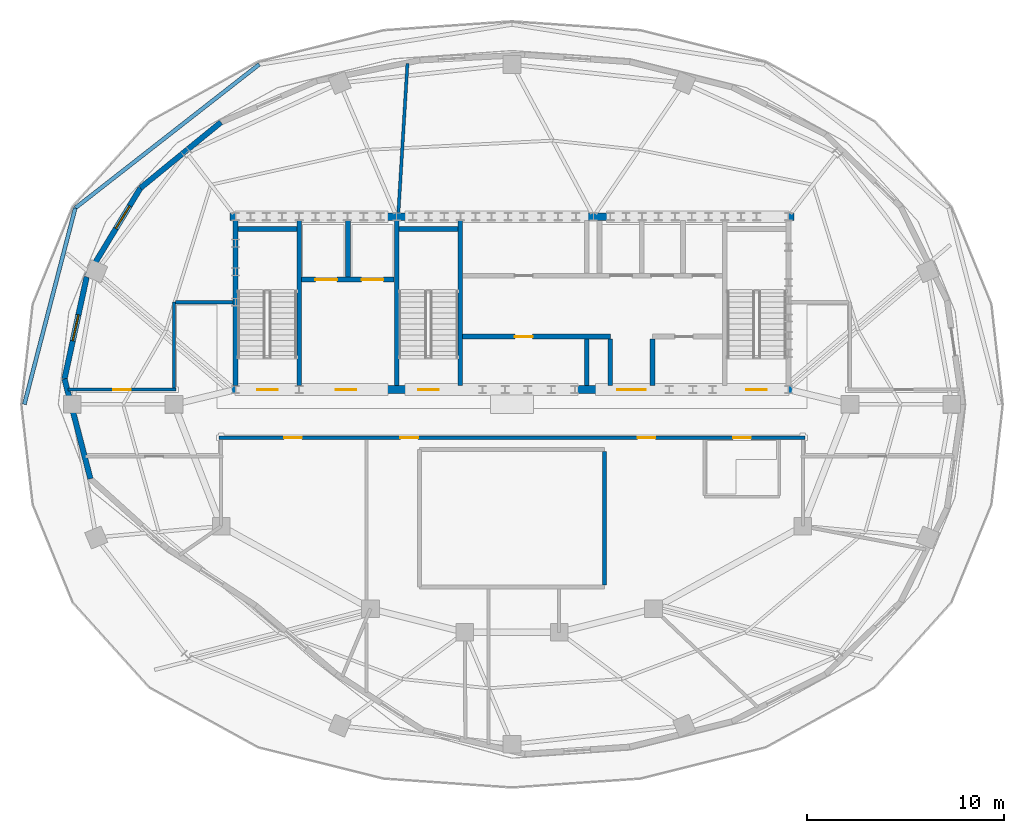
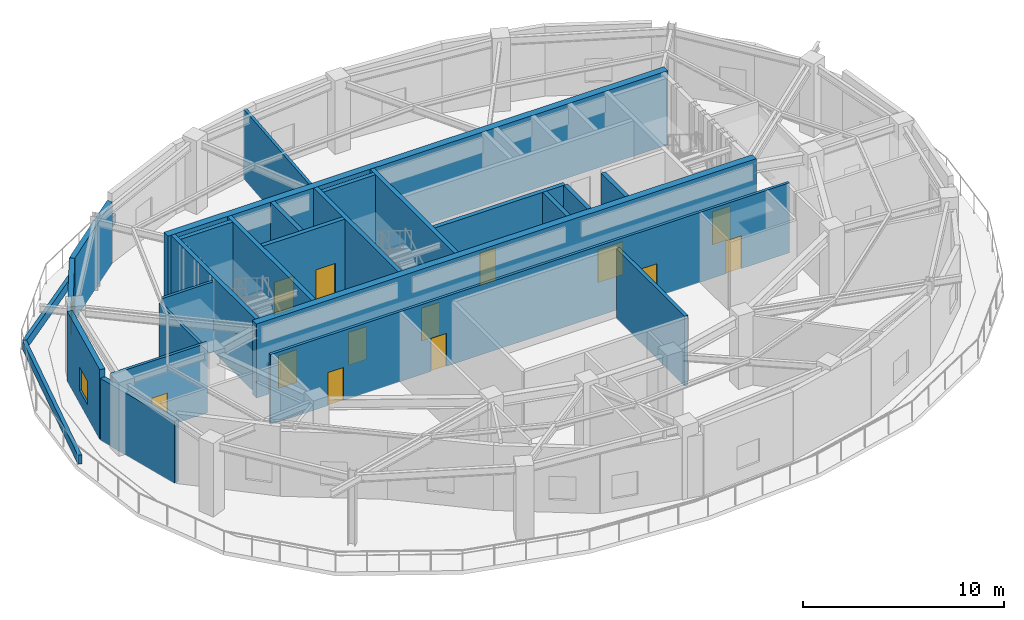
# One storey, part 4 of 10: 26 walls, 13 doors, 2 windows, 15 openings.
"""IFC4 building model written with IfcOpenShell, lengths in metres."""

import ifcopenshell
import ifcopenshell.guid

model = None  # the IFC model being written
_history = None  # IfcOwnerHistory: only IFC2X3 demands one
_inside = {}  # id of a spatial element -> (the spatial element, [elements in it])
_under = {}  # id of a project, library or spatial element -> (it, [spatial elements below it])
_declared = {}  # id of a project -> (the project, [libraries it declares])
_typed = {}  # id of a type object -> (the type object, [elements of that type])
_made_of = {}  # id of a material, layer set ... -> (it, [elements and type objects made of it])


def new_model(schema):
    """Start an empty IFC model of exactly this schema.

    Asked for "IFC4X3", IfcOpenShell would pick the latest addendum, in which some entities
    have other attributes; the version numbers below select the first issue.
    IFC2X3 requires an IfcOwnerHistory on every rooted entity: one is made here for all.
    """
    global model, _history
    if schema == "IFC4X3":
        model = ifcopenshell.file(schema_version=(4, 3, 0, 0))
    else:
        model = ifcopenshell.file(schema=schema)
    _inside.clear()
    _under.clear()
    _declared.clear()
    _typed.clear()
    _made_of.clear()
    _history = None
    if model.schema == "IFC2X3":
        org = make("IfcOrganization", Name="unknown")
        user = make(
            "IfcPersonAndOrganization",
            ThePerson=make("IfcPerson", FamilyName="unknown"),
            TheOrganization=org,
        )
        app = make(
            "IfcApplication",
            ApplicationDeveloper=org,
            Version="unknown",
            ApplicationFullName="unknown",
            ApplicationIdentifier="unknown",
        )
        _history = make(
            "IfcOwnerHistory",
            OwningUser=user,
            OwningApplication=app,
            ChangeAction="ADDED",
            CreationDate=0,
        )
    return model


def make(cls, **values):
    """One entity of the class cls with the attributes given. An attribute that is None is left unset."""
    return model.create_entity(
        cls, **{name: value for name, value in values.items() if value is not None}
    )


def rooted(cls, **values):
    """An entity with a GlobalId (a new one), such as an element, a storey or a relation."""
    return make(cls, GlobalId=ifcopenshell.guid.new(), OwnerHistory=_history, **values)


def si_unit(unit_type, name, prefix=None):
    """IfcSIUnit, for example si_unit("LENGTHUNIT", "METRE", prefix="MILLI")."""
    return make("IfcSIUnit", UnitType=unit_type, Prefix=prefix, Name=name)


def assignment(units):
    """IfcUnitAssignment: the units of a project."""
    return None if units is None else make("IfcUnitAssignment", Units=units)


def point(xyz):
    """IfcCartesianPoint."""
    return None if xyz is None else make("IfcCartesianPoint", Coordinates=xyz)


def direction(xyz):
    """IfcDirection."""
    return None if xyz is None else make("IfcDirection", DirectionRatios=xyz)


def frame(location, z_axis=None, x_axis=None):
    """IfcAxis2Placement3D, a coordinate frame: its origin and axes. An axis left out is left unset."""
    return make(
        "IfcAxis2Placement3D",
        Location=point(location),
        Axis=direction(z_axis),
        RefDirection=direction(x_axis),
    )


def frame_2d(location, x_axis=None):
    """IfcAxis2Placement2D, a coordinate frame in the plane: its origin and x axis."""
    return make(
        "IfcAxis2Placement2D", Location=point(location), RefDirection=direction(x_axis)
    )


def origin():
    """The frame at (0, 0, 0) with its axes left unset."""
    return frame((0.0, 0.0, 0.0))


def place(relative_to, where):
    """IfcLocalPlacement: puts the frame where relative to a parent placement (None: the world)."""
    return make(
        "IfcLocalPlacement", PlacementRelTo=relative_to, RelativePlacement=where
    )


def context(
    kind, dimensions, precision=None, world=None, true_north=None, identifier=None
):
    """IfcGeometricRepresentationContext, for example the 3D "Model" context."""
    return make(
        "IfcGeometricRepresentationContext",
        ContextIdentifier=identifier,
        ContextType=kind,
        CoordinateSpaceDimension=dimensions,
        Precision=precision,
        WorldCoordinateSystem=world,
        TrueNorth=true_north,
    )


def subcontext(parent, identifier, kind, view, scale=None):
    """IfcGeometricRepresentationSubContext, for example "Body" below "Model"."""
    return make(
        "IfcGeometricRepresentationSubContext",
        ContextIdentifier=identifier,
        ContextType=kind,
        ParentContext=parent,
        TargetScale=scale,
        TargetView=view,
    )


def project(units=None, contexts=None):
    """IfcProject with its units and contexts."""
    return rooted(
        "IfcProject",
        Name="project",
        RepresentationContexts=contexts,
        UnitsInContext=assignment(units),
    )


def spatial(cls, under=None, at=None, **own):
    """A site, building, storey or space (cls), placed at a placement, below another one or the project."""
    s = rooted(cls, ObjectPlacement=at, **own)
    if under is not None:
        _under.setdefault(under.id(), (under, []))[1].append(s)
    return s


def profile(cls, at=None, kind="AREA", **sizes):
    """A parametric profile (cls). Its sizes go by their IFC names, for example OverallWidth=200.0."""
    return make(cls, ProfileType=kind, Position=at, **sizes)


def rectangle(**sizes):
    """IfcRectangleProfileDef."""
    return profile("IfcRectangleProfileDef", **sizes)


def extrude(swept, where, along, depth):
    """IfcExtrudedAreaSolid: the profile swept, set in the frame where, extruded along a direction by depth."""
    return make(
        "IfcExtrudedAreaSolid",
        SweptArea=swept,
        Position=where,
        ExtrudedDirection=direction(along),
        Depth=depth,
    )


def shape(context_of_items, identifier, shape_type, items):
    """IfcShapeRepresentation: the items that make up one representation, for example the "Body"."""
    return make(
        "IfcShapeRepresentation",
        ContextOfItems=context_of_items,
        RepresentationIdentifier=identifier,
        RepresentationType=shape_type,
        Items=items,
    )


def material(Name=None, Category=None):
    """IfcMaterial."""
    return make("IfcMaterial", Name=Name, Category=Category)


def layer(
    of_material, thickness, ventilated=None, Name=None, Category=None, Priority=None
):
    """IfcMaterialLayer: one layer of a wall or slab, of a material (None: an air gap)."""
    return make(
        "IfcMaterialLayer",
        Material=of_material,
        LayerThickness=thickness,
        IsVentilated=ventilated,
        Name=Name,
        Category=Category,
        Priority=Priority,
    )


def layer_set(layers, Name=None):
    """IfcMaterialLayerSet."""
    return make("IfcMaterialLayerSet", MaterialLayers=layers, LayerSetName=Name)


def made_of(thing, what):
    """Note that an element or type object is made of a material, layer set ...; save() writes the relation."""
    if what is not None:
        _made_of.setdefault(what.id(), (what, []))[1].append(thing)
    return thing


def type_object(cls, material=None, **own):
    """A type object (cls), such as IfcWallType, which elements share."""
    return made_of(rooted(cls, **own), material)


def element(
    cls,
    number,
    at=None,
    inside=None,
    cuts=None,
    type_object=None,
    material=None,
    context=None,
    identifier="Body",
    shape_type=None,
    held_by="IfcProductDefinitionShape",
    body=None,
    shapes=None,
    **own,
):
    """One element of the class cls, such as IfcWall. Its Tag is "e" and its number.

    at: its placement. inside: the storey or other place that contains it. cuts: it is an
    opening in that element (IfcRelVoidsElement). A single representation is given by context,
    identifier, shape_type and body (its items); several are given by shapes. held_by: the class
    of the entity that holds the representations. save() writes the other relations.
    """
    e = rooted(cls, Tag="e%d" % number, ObjectPlacement=at, **own)
    if body is not None:
        shapes = [shape(context, identifier, shape_type, body)]
    if shapes is not None:
        e.Representation = make(held_by, Representations=shapes)
    if inside is not None:
        _inside.setdefault(inside.id(), (inside, []))[1].append(e)
    if cuts is not None:
        rooted(
            "IfcRelVoidsElement", RelatingBuildingElement=cuts, RelatedOpeningElement=e
        )
    if type_object is not None:
        _typed.setdefault(type_object.id(), (type_object, []))[1].append(e)
    return made_of(e, material)


def fill(opening, filler):
    """IfcRelFillsElement: the door or window that sits in an opening."""
    return rooted(
        "IfcRelFillsElement",
        RelatingOpeningElement=opening,
        RelatedBuildingElement=filler,
    )


def aggregate(whole, parts):
    """IfcRelAggregates: a whole, such as a stair, and the parts it consists of."""
    return rooted("IfcRelAggregates", RelatingObject=whole, RelatedObjects=parts)


def save(model, path):
    """Write the relations noted so far, then the file.

    IfcRelAggregates (storeys below a building ...), IfcRelContainedInSpatialStructure (elements
    in a storey), IfcRelDefinesByType, IfcRelAssociatesMaterial and IfcRelDeclares: one each for
    every whole, place, type object, material and project.
    """
    for whole, parts in _under.values():
        aggregate(whole, parts)
    for where, things in _inside.values():
        rooted(
            "IfcRelContainedInSpatialStructure",
            RelatedElements=things,
            RelatingStructure=where,
        )
    for kind, things in _typed.values():
        rooted("IfcRelDefinesByType", RelatedObjects=things, RelatingType=kind)
    for what, things in _made_of.values():
        rooted("IfcRelAssociatesMaterial", RelatedObjects=things, RelatingMaterial=what)
    for by, libraries in _declared.values():
        rooted("IfcRelDeclares", RelatingContext=by, RelatedDefinitions=libraries)
    model.write(path)


model = new_model("IFC4")

# Units and contexts
model_context = context("Model", 3, precision=1e-05, world=origin(), true_north=direction((0.0, 1.0)))
body_context = subcontext(model_context, "Body", "Model", "MODEL_VIEW")
ifc_project = project(units=[si_unit("LENGTHUNIT", "METRE"), si_unit("AREAUNIT", "SQUARE_METRE"), si_unit("VOLUMEUNIT", "CUBIC_METRE"), si_unit("PLANEANGLEUNIT", "RADIAN"), si_unit("MASSUNIT", "GRAM", prefix="KILO")], contexts=[model_context])

# Site, building, storey
site_placement = place(None, origin())
site = spatial("IfcSite", under=ifc_project, at=site_placement, CompositionType="ELEMENT")
building_placement = place(site_placement, origin())
building = spatial("IfcBuilding", under=site, at=building_placement, Name="Haldorwick Loom Tower", CompositionType="ELEMENT")
storey_placement = place(building_placement, frame((0.0, 0.0, 273.0)))
storey = spatial("IfcBuildingStorey", under=building, at=storey_placement, Name="L74", CompositionType="ELEMENT", Elevation=273.0)

# Wall
ifc_material_1 = material(Name="Pressed Clay Face Brick and Insulated Masonry Backup Assembly", Category="masonry")
ifc_layer_1 = layer(ifc_material_1, 0.280029296875, Name="Pressed Clay Face Brick and Insulated Masonry Backup Assembly", Category="masonry")
ifc_layer_set_1 = layer_set([ifc_layer_1], Name="Pressed Clay Face Brick and Insulated Masonry Backup Assembly")
wall_type_1 = type_object("IfcWallType", Name="ARC-WL-EXT280", PredefinedType="STANDARD", material=ifc_layer_set_1)
wall_1_placement = place(storey_placement, frame((21.18798828125, 40.353759765625, 0.0), z_axis=(0.0, 0.0, 1.0), x_axis=(-0.774728125185, -0.632294497879, 0.0)))
element("IfcWall", 1, at=wall_1_placement, inside=storey, type_object=wall_type_1, Name="L74 Brick Pier and Spandrel Wall 10", PredefinedType="STANDARD", context=body_context, shape_type="SweptSolid", body=[
    extrude(rectangle(XDim=5.287841796875, YDim=0.280029296875, at=frame_2d((2.64404296875, 0.0))), origin(), (0.0, 0.0, 1.0), 3.76904296875),
])

# Wall, opening, window
wall_2_placement = place(storey_placement, frame((17.09130859375, 37.01025390625, 0.0), z_axis=(0.0, 0.0, 1.0), x_axis=(-0.517597963515, -0.855623952543, 0.0)))
wall_2 = element("IfcWall", 2, at=wall_2_placement, inside=storey, type_object=wall_type_1, Name="L74 Brick Pier and Spandrel Wall 11", PredefinedType="STANDARD", context=body_context, shape_type="SweptSolid", body=[
    extrude(rectangle(XDim=5.283203125, YDim=0.280029296875, at=frame_2d((2.6416015625, 0.0))), origin(), (0.0, 0.0, 1.0), 3.76904296875),
])
opening_1_placement = place(wall_2_placement, frame((1.06298828125, 0.0, 0.800048828125)))
opening_1 = element("IfcOpeningElement", 3, at=opening_1_placement, cuts=wall_2, Name="Opening W-02B", PredefinedType="OPENING", context=body_context, shape_type="SweptSolid", body=[
    extrude(rectangle(XDim=1.35009765625, YDim=1.419921875, at=frame_2d((0.675048828125, 0.7099609375))), frame((0.0, 0.14990234375, 0.0), z_axis=(0.0, -1.0, 0.0), x_axis=(1.0, 0.0, 0.0)), (0.0, 0.0, 1.0), 0.300048828125),
])
ifc_material_2 = material(Name="Triple-Glazed Low-E Argon Insulated Glazing Unit", Category="glass")
window_type = type_object("IfcWindowType", Name="ARC-WIN-W135", PartitioningType="SINGLE_PANEL", PredefinedType="WINDOW", material=ifc_material_2)
window_1_placement = place(opening_1_placement, origin())
window_1 = element("IfcWindow", 4, at=window_1_placement, inside=storey, type_object=window_type, Name="L74 Deep-Set Zone 7A Window 11", OverallHeight=1.419921875, OverallWidth=1.35009765625, PartitioningType="SINGLE_PANEL", PredefinedType="WINDOW", context=body_context, shape_type="SweptSolid", body=[
    extrude(rectangle(XDim=1.35009765625, YDim=1.419921875, at=frame_2d((0.675048828125, 0.7099609375))), frame((0.0, 0.030029296875, 0.0), z_axis=(0.0, -1.0, 0.0), x_axis=(1.0, 0.0, 0.0)), (0.0, 0.0, 1.0), 0.06005859375),
])
fill(opening_1, window_1)

wall_3_placement = place(storey_placement, frame((14.356689453125, 32.48974609375, 0.0), z_axis=(0.0, 0.0, 1.0), x_axis=(-0.212492575689, -0.977162681071, 0.0)))
wall_3 = element("IfcWall", 5, at=wall_3_placement, inside=storey, type_object=wall_type_1, Name="L74 Brick Pier and Spandrel Wall 12", PredefinedType="STANDARD", context=body_context, shape_type="SweptSolid", body=[
    extrude(rectangle(XDim=5.31494140625, YDim=0.280029296875, at=frame_2d((2.657470703125, 0.0))), origin(), (0.0, 0.0, 1.0), 4.260009765625),
])
opening_2_placement = place(wall_3_placement, frame((1.982421875, 0.0, 0.800048828125)))
opening_2 = element("IfcOpeningElement", 6, at=opening_2_placement, cuts=wall_3, Name="Opening W-02B", PredefinedType="OPENING", context=body_context, shape_type="SweptSolid", body=[
    extrude(rectangle(XDim=1.35009765625, YDim=1.419921875, at=frame_2d((0.675048828125, 0.7099609375))), frame((0.0, 0.14990234375, 0.0), z_axis=(0.0, -1.0, 0.0), x_axis=(1.0, 0.0, 0.0)), (0.0, 0.0, 1.0), 0.300048828125),
])
window_2_placement = place(opening_2_placement, origin())
window_2 = element("IfcWindow", 7, at=window_2_placement, inside=storey, type_object=window_type, Name="L74 Deep-Set Zone 7A Window 12", OverallHeight=1.419921875, OverallWidth=1.35009765625, PartitioningType="SINGLE_PANEL", PredefinedType="WINDOW", context=body_context, shape_type="SweptSolid", body=[
    extrude(rectangle(XDim=1.35009765625, YDim=1.419921875, at=frame_2d((0.675048828125, 0.7099609375))), frame((0.0, 0.030029296875, 0.0), z_axis=(0.0, -1.0, 0.0), x_axis=(1.0, 0.0, 0.0)), (0.0, 0.0, 1.0), 0.06005859375),
])
fill(opening_2, window_2)

# Wall
wall_4_placement = place(storey_placement, frame((13.227294921875, 27.296142578125, 0.0), z_axis=(0.0, 0.0, 1.0), x_axis=(0.25117034691, -0.967942899573, 0.0)))
element("IfcWall", 8, at=wall_4_placement, inside=storey, type_object=wall_type_1, Name="L74 Brick Pier and Spandrel Wall 13", PredefinedType="STANDARD", context=body_context, shape_type="SweptSolid", body=[
    extrude(rectangle(XDim=5.249755859375, YDim=0.280029296875, at=frame_2d((2.625, 0.0))), origin(), (0.0, 0.0, 1.0), 3.76904296875),
])

# Wall, openings, doors
ifc_material_3 = material(Name="Fire-Rated Type X Gypsum Stud Assembly EI 60")
ifc_layer_2 = layer(ifc_material_3, 0.159912109375, Name="Fire-Rated Type X Gypsum Stud Assembly EI 60")
ifc_layer_set_2 = layer_set([ifc_layer_2], Name="Fire-Rated Type X Gypsum Stud Assembly EI 60")
wall_type_2 = type_object("IfcWallType", Name="ARC-WL-FIRE160", PredefinedType="PARTITIONING", material=ifc_layer_set_2)
wall_5_placement = place(storey_placement, frame((21.10009765625, 24.300048828125, 0.0), z_axis=(0.0, 0.0, 1.0), x_axis=(1.0, 0.0, 0.0)))
wall_5 = element("IfcWall", 9, at=wall_5_placement, inside=storey, type_object=wall_type_2, Name="L74 Residential Fire Partition L74-CR-SP", PredefinedType="PARTITIONING", context=body_context, shape_type="SweptSolid", body=[
    extrude(rectangle(XDim=29.7998046875, YDim=0.159912109375, at=frame_2d((14.89990234375, 0.0))), origin(), (0.0, 0.0, 1.0), 4.2451171875),
])
opening_3_placement = place(wall_5_placement, frame((21.29296875, 0.0, 0.0)))
opening_3 = element("IfcOpeningElement", 10, at=opening_3_placement, cuts=wall_5, Name="Opening D-FD60A", PredefinedType="OPENING", context=body_context, shape_type="SweptSolid", body=[
    extrude(rectangle(XDim=0.89990234375, YDim=2.0, at=frame_2d((0.449951171875, 1.0))), frame((0.0, 0.08984375, 0.0), z_axis=(0.0, -1.0, 0.0), x_axis=(1.0, 0.0, 0.0)), (0.0, 0.0, 1.0), 0.179931640625),
])
opening_4_placement = place(wall_5_placement, frame((3.302490234375, 0.0, 0.0)))
opening_4 = element("IfcOpeningElement", 11, at=opening_4_placement, cuts=wall_5, Name="Opening D-FD60A", PredefinedType="OPENING", context=body_context, shape_type="SweptSolid", body=[
    extrude(rectangle(XDim=0.89990234375, YDim=2.0, at=frame_2d((0.449951171875, 1.0))), frame((0.0, 0.08984375, 0.0), z_axis=(0.0, -1.0, 0.0), x_axis=(1.0, 0.0, 0.0)), (0.0, 0.0, 1.0), 0.179931640625),
])
opening_5_placement = place(wall_5_placement, frame((9.21923828125, 0.0, 0.0)))
opening_5 = element("IfcOpeningElement", 12, at=opening_5_placement, cuts=wall_5, Name="Opening D-FD60A", PredefinedType="OPENING", context=body_context, shape_type="SweptSolid", body=[
    extrude(rectangle(XDim=0.89990234375, YDim=2.0, at=frame_2d((0.449951171875, 1.0))), frame((0.0, 0.08984375, 0.0), z_axis=(0.0, -1.0, 0.0), x_axis=(1.0, 0.0, 0.0)), (0.0, 0.0, 1.0), 0.179931640625),
])
opening_6_placement = place(wall_5_placement, frame((26.1494140625, 0.0, 0.0)))
opening_6 = element("IfcOpeningElement", 13, at=opening_6_placement, cuts=wall_5, Name="Opening D-FD60A", PredefinedType="OPENING", context=body_context, shape_type="SweptSolid", body=[
    extrude(rectangle(XDim=0.89990234375, YDim=2.0, at=frame_2d((0.449951171875, 1.0))), frame((0.0, 0.08984375, 0.0), z_axis=(0.0, -1.0, 0.0), x_axis=(1.0, 0.0, 0.0)), (0.0, 0.0, 1.0), 0.179931640625),
])
ifc_material_4 = material(Name="Hollow Steel Fire Door Assembly", Category="steel")
door_type_1 = type_object("IfcDoorType", Name="ARC-DR-FD60-90", OperationType="NOTDEFINED", PredefinedType="DOOR", material=ifc_material_4)
door_1_placement = place(opening_3_placement, origin())
door_1 = element("IfcDoor", 14, at=door_1_placement, inside=storey, type_object=door_type_1, Name="L74 L74 Central Residential Corridor to Community Teaching Classroom 1 D", OperationType="SINGLE_SWING_LEFT", OverallHeight=2.0, OverallWidth=0.89990234375, PredefinedType="DOOR", context=body_context, shape_type="SweptSolid", body=[
    extrude(rectangle(XDim=0.89990234375, YDim=2.0, at=frame_2d((0.449951171875, 1.0))), frame((0.0, 0.02490234375, 0.0), z_axis=(0.0, -1.0, 0.0), x_axis=(1.0, 0.0, 0.0)), (0.0, 0.0, 1.0), 0.050048828125),
])
fill(opening_3, door_1)
door_2_placement = place(opening_4_placement, origin())
door_2 = element("IfcDoor", 15, at=door_2_placement, inside=storey, type_object=door_type_1, Name="L74 L74 Central Residential Corridor to Resident Work Office 2 Door", OperationType="SINGLE_SWING_LEFT", OverallHeight=2.0, OverallWidth=0.89990234375, PredefinedType="DOOR", context=body_context, shape_type="SweptSolid", body=[
    extrude(rectangle(XDim=0.89990234375, YDim=2.0, at=frame_2d((0.449951171875, 1.0))), frame((0.0, 0.02490234375, 0.0), z_axis=(0.0, -1.0, 0.0), x_axis=(1.0, 0.0, 0.0)), (0.0, 0.0, 1.0), 0.050048828125),
])
fill(opening_4, door_2)
door_3_placement = place(opening_5_placement, origin())
door_3 = element("IfcDoor", 16, at=door_3_placement, inside=storey, type_object=door_type_1, Name="L74 L74 Central Residential Corridor to Resident Work Office 1 Door", OperationType="SINGLE_SWING_LEFT", OverallHeight=2.0, OverallWidth=0.89990234375, PredefinedType="DOOR", context=body_context, shape_type="SweptSolid", body=[
    extrude(rectangle(XDim=0.89990234375, YDim=2.0, at=frame_2d((0.449951171875, 1.0))), frame((0.0, 0.02490234375, 0.0), z_axis=(0.0, -1.0, 0.0), x_axis=(1.0, 0.0, 0.0)), (0.0, 0.0, 1.0), 0.050048828125),
])
fill(opening_5, door_3)
door_4_placement = place(opening_6_placement, origin())
door_4 = element("IfcDoor", 17, at=door_4_placement, inside=storey, type_object=door_type_1, Name="L74 L74 Central Residential Corridor to Common Accessible WC Door", OperationType="SINGLE_SWING_RIGHT", OverallHeight=2.0, OverallWidth=0.89990234375, PredefinedType="DOOR", context=body_context, shape_type="SweptSolid", body=[
    extrude(rectangle(XDim=0.89990234375, YDim=2.0, at=frame_2d((0.449951171875, 1.0))), frame((0.0, 0.02490234375, 0.0), z_axis=(0.0, -1.0, 0.0), x_axis=(1.0, 0.0, 0.0)), (0.0, 0.0, 1.0), 0.050048828125),
])
fill(opening_6, door_4)

# Wall, opening, door
wall_6_placement = place(storey_placement, frame((13.41552734375, 26.75, 0.0), z_axis=(0.0, 0.0, 1.0), x_axis=(1.0, 0.0, 0.0)))
wall_6 = element("IfcWall", 18, at=wall_6_placement, inside=storey, type_object=wall_type_2, Name="L74 Residential Fire Partition L74-CR-NWL", PredefinedType="PARTITIONING", context=body_context, shape_type="SweptSolid", body=[
    extrude(rectangle(XDim=5.484375, YDim=0.159912109375, at=frame_2d((2.7421875, 0.0))), origin(), (0.0, 0.0, 1.0), 4.2451171875),
])
opening_7_placement = place(wall_6_placement, frame((2.292236328125, 0.0, 0.0)))
opening_7 = element("IfcOpeningElement", 19, at=opening_7_placement, cuts=wall_6, Name="Opening D-FD60A", PredefinedType="OPENING", context=body_context, shape_type="SweptSolid", body=[
    extrude(rectangle(XDim=0.89990234375, YDim=2.0, at=frame_2d((0.449951171875, 1.0))), frame((0.0, 0.08984375, 0.0), z_axis=(0.0, -1.0, 0.0), x_axis=(1.0, 0.0, 0.0)), (0.0, 0.0, 1.0), 0.179931640625),
])
door_5_placement = place(opening_7_placement, frame((0.89990234375, 0.0, 0.0), z_axis=(0.0, 0.0, 1.0), x_axis=(-1.0, 0.0, 0.0)))
door_5 = element("IfcDoor", 20, at=door_5_placement, inside=storey, type_object=door_type_1, Name="L74 Community Teaching Classroom 1 to L74 Central Residential Corridor D", OperationType="SINGLE_SWING_LEFT", OverallHeight=2.0, OverallWidth=0.89990234375, PredefinedType="DOOR", context=body_context, shape_type="SweptSolid", body=[
    extrude(rectangle(XDim=0.89990234375, YDim=2.0, at=frame_2d((0.449951171875, 1.0))), frame((0.0, 0.02490234375, 0.0), z_axis=(0.0, -1.0, 0.0), x_axis=(1.0, 0.0, 0.0)), (0.0, 0.0, 1.0), 0.050048828125),
])
fill(opening_7, door_5)

# Walls
wall_7_placement = place(storey_placement, frame((18.800048828125, 26.8330078125, 0.0), z_axis=(0.0, 0.0, 1.0), x_axis=(0.0, 1.0, 0.0)))
element("IfcWall", 21, at=wall_7_placement, inside=storey, type_object=wall_type_2, Name="L74 Residential Fire Partition L74-CR-W0", PredefinedType="PARTITIONING", context=body_context, shape_type="SweptSolid", body=[
    extrude(rectangle(XDim=4.366943359375, YDim=0.159912109375, at=frame_2d((2.18359375, 0.0))), origin(), (0.0, 0.0, 1.0), 3.97705078125),
])
wall_8_placement = place(storey_placement, frame((18.883056640625, 31.199951171875, 0.0), z_axis=(0.0, 0.0, 1.0), x_axis=(1.0, 0.0, 0.0)))
element("IfcWall", 22, at=wall_8_placement, inside=storey, type_object=wall_type_2, Name="L74 Residential Fire Partition L74-CR-WNJ", PredefinedType="PARTITIONING", context=body_context, shape_type="SweptSolid", body=[
    extrude(rectangle(XDim=2.923828125, YDim=0.159912109375, at=frame_2d((1.4619140625, 0.0))), origin(), (0.0, 0.0, 1.0), 4.2451171875),
])
wall_9_placement = place(storey_placement, frame((30.218505859375, 35.7529296875, 0.0), z_axis=(0.0, 0.0, 1.0), x_axis=(0.060674466479, 0.998157607353, 0.0)))
element("IfcWall", 23, at=wall_9_placement, inside=storey, type_object=wall_type_2, Name="L74 Residential Fire Partition L74-UPN-C3", PredefinedType="PARTITIONING", context=body_context, shape_type="SweptSolid", body=[
    extrude(rectangle(XDim=7.600830078125, YDim=0.159912109375, at=frame_2d((3.80029296875, 0.0))), origin(), (0.0, 0.0, 1.0), 4.2451171875),
])
ifc_material_5 = material(Name="Fire-Rated Type X Gypsum Stud Assembly EI 120")
ifc_layer_3 = layer(ifc_material_5, 0.199951171875, Name="Fire-Rated Type X Gypsum Stud Assembly EI 120")
ifc_layer_set_3 = layer_set([ifc_layer_3], Name="Fire-Rated Type X Gypsum Stud Assembly EI 120")
wall_type_3 = type_object("IfcWallType", Name="ARC-WL-FIRE200", PredefinedType="PARTITIONING", material=ifc_layer_set_3)
wall_10_placement = place(storey_placement, frame((40.699951171875, 23.596923828125, 0.0), z_axis=(0.0, 0.0, 1.0), x_axis=(0.0, -1.0, 0.0)))
element("IfcWall", 24, at=wall_10_placement, inside=storey, type_object=wall_type_3, Name="L74 Atrium Fire Enclosure Wall E", PredefinedType="PARTITIONING", context=body_context, shape_type="SweptSolid", body=[
    extrude(rectangle(XDim=6.7939453125, YDim=0.199951171875, at=frame_2d((3.39697265625, 0.0))), origin(), (0.0, 0.0, 1.0), 4.2451171875),
])
ifc_layer_4 = layer(ifc_material_1, 0.199951171875, Name="Pressed Clay Face Brick and Insulated Masonry Backup Assembly", Category="masonry")
ifc_layer_set_4 = layer_set([ifc_layer_4], Name="Pressed Clay Face Brick and Insulated Masonry Backup Assembly")
wall_type_4 = type_object("IfcWallType", Name="ARC-WL-PARAPET200", PredefinedType="PARAPET", material=ifc_layer_set_4)
wall_11_placement = place(storey_placement, frame((11.184814453125, 26.0, 0.0), z_axis=(0.0, 0.0, 1.0), x_axis=(0.250963800544, 0.967996472523, 0.0)))
element("IfcWall", 25, at=wall_11_placement, inside=storey, type_object=wall_type_4, Name="L74 Terrace Masonry Parapet 1", PredefinedType="PARAPET", context=body_context, shape_type="SweptSolid", body=[
    extrude(rectangle(XDim=10.321533203125, YDim=0.199951171875, at=frame_2d((5.16064453125, 0.0))), origin(), (0.0, 0.0, 1.0), 0.550048828125),
])
wall_12_placement = place(storey_placement, frame((13.775146484375, 35.9912109375, 0.0), z_axis=(0.0, 0.0, 1.0), x_axis=(0.788161413525, 0.615468590775, 0.0)))
element("IfcWall", 26, at=wall_12_placement, inside=storey, type_object=wall_type_4, Name="L74 Terrace Masonry Parapet 2", PredefinedType="PARAPET", context=body_context, shape_type="SweptSolid", body=[
    extrude(rectangle(XDim=11.88232421875, YDim=0.199951171875, at=frame_2d((5.941162109375, 0.0))), origin(), (0.0, 0.0, 1.0), 0.550048828125),
])

# Wall, openings, doors
ifc_material_6 = material(Name="Concrete C50 (50 MPa)", Category="concrete")
ifc_layer_5 = layer(ifc_material_6, 0.39990234375, Name="Concrete C50 (50 MPa)", Category="concrete")
ifc_layer_set_5 = layer_set([ifc_layer_5], Name="Concrete C50 (50 MPa)")
wall_type_5 = type_object("IfcWallType", Name="STR-WL-CORE400", PredefinedType="SHEAR", material=ifc_layer_set_5)
wall_13_placement = place(storey_placement, frame((21.64990234375, 26.75, 0.0), z_axis=(0.0, 0.0, 1.0), x_axis=(1.0, 0.0, 0.0)))
wall_13 = element("IfcWall", 27, at=wall_13_placement, inside=storey, type_object=wall_type_5, Name="L74 Core Shear Wall S", PredefinedType="SHEAR", context=body_context, shape_type="SweptSolid", body=[
    extrude(rectangle(XDim=28.7001953125, YDim=0.39990234375, at=frame_2d((14.35009765625, 0.0))), origin(), (0.0, 0.0, 1.0), 4.5),
])
opening_8_placement = place(wall_13_placement, frame((1.375, 0.0, 0.0)))
opening_8 = element("IfcOpeningElement", 28, at=opening_8_placement, cuts=wall_13, Name="Opening D-FD60", PredefinedType="OPENING", context=body_context, shape_type="SweptSolid", body=[
    extrude(rectangle(XDim=1.050048828125, YDim=2.0, at=frame_2d((0.52490234375, 1.0))), frame((0.0, 0.2099609375, 0.0), z_axis=(0.0, -1.0, 0.0), x_axis=(1.0, 0.0, 0.0)), (0.0, 0.0, 1.0), 0.419921875),
])
opening_9_placement = place(wall_13_placement, frame((5.375, 0.0, 0.0)))
opening_9 = element("IfcOpeningElement", 29, at=opening_9_placement, cuts=wall_13, Name="Opening D-FD60", PredefinedType="OPENING", context=body_context, shape_type="SweptSolid", body=[
    extrude(rectangle(XDim=1.050048828125, YDim=2.0, at=frame_2d((0.52490234375, 1.0))), frame((0.0, 0.2099609375, 0.0), z_axis=(0.0, -1.0, 0.0), x_axis=(1.0, 0.0, 0.0)), (0.0, 0.0, 1.0), 0.419921875),
])
opening_10_placement = place(wall_13_placement, frame((9.574951171875, 0.0, 0.0)))
opening_10 = element("IfcOpeningElement", 30, at=opening_10_placement, cuts=wall_13, Name="Opening D-FD60", PredefinedType="OPENING", context=body_context, shape_type="SweptSolid", body=[
    extrude(rectangle(XDim=1.050048828125, YDim=2.0, at=frame_2d((0.52490234375, 1.0))), frame((0.0, 0.2099609375, 0.0), z_axis=(0.0, -1.0, 0.0), x_axis=(1.0, 0.0, 0.0)), (0.0, 0.0, 1.0), 0.419921875),
])
opening_11_placement = place(wall_13_placement, frame((19.705078125, 0.0, 0.0)))
opening_11 = element("IfcOpeningElement", 31, at=opening_11_placement, cuts=wall_13, Name="Opening D-LB15", PredefinedType="OPENING", context=body_context, shape_type="SweptSolid", body=[
    extrude(rectangle(XDim=1.449951171875, YDim=2.0, at=frame_2d((0.72509765625, 1.0))), frame((0.0, 0.2099609375, 0.0), z_axis=(0.0, -1.0, 0.0), x_axis=(1.0, 0.0, 0.0)), (0.0, 0.0, 1.0), 0.419921875),
])
opening_12_placement = place(wall_13_placement, frame((26.27490234375, 0.0, 0.0)))
opening_12 = element("IfcOpeningElement", 32, at=opening_12_placement, cuts=wall_13, Name="Opening D-FD60", PredefinedType="OPENING", context=body_context, shape_type="SweptSolid", body=[
    extrude(rectangle(XDim=1.050048828125, YDim=2.0, at=frame_2d((0.52490234375, 1.0))), frame((0.0, 0.2099609375, 0.0), z_axis=(0.0, -1.0, 0.0), x_axis=(1.0, 0.0, 0.0)), (0.0, 0.0, 1.0), 0.419921875),
])
door_type_2 = type_object("IfcDoorType", Name="ARC-DR-FD60", OperationType="NOTDEFINED", PredefinedType="DOOR", material=ifc_material_4)
door_6_placement = place(opening_8_placement, origin())
door_6 = element("IfcDoor", 33, at=door_6_placement, inside=storey, type_object=door_type_2, Name="L74 Exit Stair ST-01 Fire Door", OperationType="SINGLE_SWING_RIGHT", OverallHeight=2.0, OverallWidth=1.050048828125, PredefinedType="DOOR", context=body_context, shape_type="SweptSolid", body=[
    extrude(rectangle(XDim=1.050048828125, YDim=2.0, at=frame_2d((0.52490234375, 1.0))), frame((0.0, 0.02490234375, 0.0), z_axis=(0.0, -1.0, 0.0), x_axis=(1.0, 0.0, 0.0)), (0.0, 0.0, 1.0), 0.050048828125),
])
fill(opening_8, door_6)
door_7_placement = place(opening_9_placement, origin())
door_7 = element("IfcDoor", 34, at=door_7_placement, inside=storey, type_object=door_type_2, Name="L74 Firefighting Lift Lobby Fire Door", OperationType="SINGLE_SWING_LEFT", OverallHeight=2.0, OverallWidth=1.050048828125, PredefinedType="DOOR", context=body_context, shape_type="SweptSolid", body=[
    extrude(rectangle(XDim=1.050048828125, YDim=2.0, at=frame_2d((0.52490234375, 1.0))), frame((0.0, 0.02490234375, 0.0), z_axis=(0.0, -1.0, 0.0), x_axis=(1.0, 0.0, 0.0)), (0.0, 0.0, 1.0), 0.050048828125),
])
fill(opening_9, door_7)
door_8_placement = place(opening_10_placement, origin())
door_8 = element("IfcDoor", 35, at=door_8_placement, inside=storey, type_object=door_type_2, Name="L74 Exit Stair ST-03 Fire Door", OperationType="SINGLE_SWING_LEFT", OverallHeight=2.0, OverallWidth=1.050048828125, PredefinedType="DOOR", context=body_context, shape_type="SweptSolid", body=[
    extrude(rectangle(XDim=1.050048828125, YDim=2.0, at=frame_2d((0.52490234375, 1.0))), frame((0.0, 0.02490234375, 0.0), z_axis=(0.0, -1.0, 0.0), x_axis=(1.0, 0.0, 0.0)), (0.0, 0.0, 1.0), 0.050048828125),
])
fill(opening_10, door_8)
door_9_placement = place(opening_12_placement, origin())
door_9 = element("IfcDoor", 36, at=door_9_placement, inside=storey, type_object=door_type_2, Name="L74 Exit Stair ST-02 Fire Door", OperationType="SINGLE_SWING_LEFT", OverallHeight=2.0, OverallWidth=1.050048828125, PredefinedType="DOOR", context=body_context, shape_type="SweptSolid", body=[
    extrude(rectangle(XDim=1.050048828125, YDim=2.0, at=frame_2d((0.52490234375, 1.0))), frame((0.0, 0.02490234375, 0.0), z_axis=(0.0, -1.0, 0.0), x_axis=(1.0, 0.0, 0.0)), (0.0, 0.0, 1.0), 0.050048828125),
])
fill(opening_12, door_9)
ifc_material_7 = material(Name="Thermally Broken Anodized Aluminium and Tempered Glass", Category="aluminium")
door_type_3 = type_object("IfcDoorType", Name="ARC-DR-LOB150", OperationType="NOTDEFINED", PredefinedType="DOOR", material=ifc_material_7)
door_10_placement = place(opening_11_placement, frame((1.449951171875, 0.0, 0.0), z_axis=(0.0, 0.0, 1.0), x_axis=(-1.0, 0.0, 0.0)))
door_10 = element("IfcDoor", 37, at=door_10_placement, inside=storey, type_object=door_type_3, Name="L74 Passenger Lift Lobby Fire Door", OperationType="DOUBLE_DOOR_SINGLE_SWING", OverallHeight=2.0, OverallWidth=1.449951171875, PredefinedType="DOOR", context=body_context, shape_type="SweptSolid", body=[
    extrude(rectangle(XDim=1.449951171875, YDim=2.0, at=frame_2d((0.72509765625, 1.0))), frame((0.0, 0.02490234375, 0.0), z_axis=(0.0, -1.0, 0.0), x_axis=(1.0, 0.0, 0.0)), (0.0, 0.0, 1.0), 0.050048828125),
])
fill(opening_11, door_10)

# Walls
wall_14_placement = place(storey_placement, frame((50.35009765625, 35.550048828125, 0.0), z_axis=(0.0, 0.0, 1.0), x_axis=(-1.0, 0.0, 0.0)))
element("IfcWall", 38, at=wall_14_placement, inside=storey, type_object=wall_type_5, Name="L74 Core Shear Wall N", PredefinedType="SHEAR", context=body_context, shape_type="SweptSolid", body=[
    extrude(rectangle(XDim=28.7001953125, YDim=0.39990234375, at=frame_2d((14.35009765625, 0.0))), origin(), (0.0, 0.0, 1.0), 4.5),
])
ifc_layer_6 = layer(ifc_material_6, 0.239990234375, Name="Concrete C50 (50 MPa)", Category="concrete")
ifc_layer_set_6 = layer_set([ifc_layer_6], Name="Concrete C50 (50 MPa)")
wall_type_6 = type_object("IfcWallType", Name="STR-WL-SHAFT240", PredefinedType="SHEAR", material=ifc_layer_set_6)
for number, where, z_axis, x_axis, name in (
    (39, (21.929931640625, 35.346923828125, 0.0), (0.0, 0.0, 1.0), (0.0, -1.0, 0.0), "L74 Core Shear Wall W"),
    (40, (25.169921875, 26.952880859375, 0.0), (0.0, 0.0, 1.0), (0.0, 1.0, 0.0), "L74 Core Shear Wall 1"),
):
    element("IfcWall", number, at=place(storey_placement, frame(where, z_axis=z_axis, x_axis=x_axis)), inside=storey, type_object=wall_type_6, Name=name, PredefinedType="SHEAR", context=body_context, shape_type="SweptSolid", body=[
        extrude(rectangle(XDim=8.39404296875, YDim=0.239990234375, at=frame_2d((4.197021484375, 0.0))), origin(), (0.0, 0.0, 1.0), 4.5),
    ])
wall_15_placement = place(storey_placement, frame((22.052978515625, 34.919921875, 0.0), z_axis=(0.0, 0.0, 1.0), x_axis=(1.0, 0.0, 0.0)))
element("IfcWall", 41, at=wall_15_placement, inside=storey, type_object=wall_type_6, Name="L74 Core Shear Wall 1N", PredefinedType="SHEAR", context=body_context, shape_type="SweptSolid", body=[
    extrude(rectangle(XDim=2.994140625, YDim=0.239990234375, at=frame_2d((1.4970703125, 0.0))), origin(), (0.0, 0.0, 1.0), 4.5),
])
for number, where, z_axis, x_axis, name in (
    (42, (30.1298828125, 26.952880859375, 0.0), (0.0, 0.0, 1.0), (0.0, 1.0, 0.0), "L74 Core Shear Wall 2"),
    (43, (33.3701171875, 26.952880859375, 0.0), (0.0, 0.0, 1.0), (0.0, 1.0, 0.0), "L74 Core Shear Wall 3"),
):
    element("IfcWall", number, at=place(storey_placement, frame(where, z_axis=z_axis, x_axis=x_axis)), inside=storey, type_object=wall_type_6, Name=name, PredefinedType="SHEAR", context=body_context, shape_type="SweptSolid", body=[
        extrude(rectangle(XDim=8.39404296875, YDim=0.239990234375, at=frame_2d((4.197021484375, 0.0))), origin(), (0.0, 0.0, 1.0), 4.5),
    ])
wall_16_placement = place(storey_placement, frame((30.2529296875, 34.919921875, 0.0), z_axis=(0.0, 0.0, 1.0), x_axis=(1.0, 0.0, 0.0)))
element("IfcWall", 44, at=wall_16_placement, inside=storey, type_object=wall_type_6, Name="L74 Core Shear Wall 3N", PredefinedType="SHEAR", context=body_context, shape_type="SweptSolid", body=[
    extrude(rectangle(XDim=2.994140625, YDim=0.239990234375, at=frame_2d((1.4970703125, 0.0))), origin(), (0.0, 0.0, 1.0), 4.5),
])

# Wall, openings, doors
wall_17_placement = place(storey_placement, frame((25.29296875, 32.35009765625, 0.0), z_axis=(0.0, 0.0, 1.0), x_axis=(1.0, 0.0, 0.0)))
wall_17 = element("IfcWall", 45, at=wall_17_placement, inside=storey, type_object=wall_type_6, Name="L74 Core Shear Wall FF", PredefinedType="SHEAR", context=body_context, shape_type="SweptSolid", body=[
    extrude(rectangle(XDim=4.714111328125, YDim=0.239990234375, at=frame_2d((2.35693359375, 0.0))), origin(), (0.0, 0.0, 1.0), 4.5),
])
opening_13_placement = place(wall_17_placement, frame((0.70703125, 0.0, 0.0)))
opening_13 = element("IfcOpeningElement", 46, at=opening_13_placement, cuts=wall_17, Name="Opening LD-FF1", PredefinedType="OPENING", context=body_context, shape_type="SweptSolid", body=[
    extrude(rectangle(XDim=1.10009765625, YDim=2.0, at=frame_2d((0.550048828125, 1.0))), frame((0.0, 0.1298828125, 0.0), z_axis=(0.0, -1.0, 0.0), x_axis=(1.0, 0.0, 0.0)), (0.0, 0.0, 1.0), 0.260009765625),
])
opening_14_placement = place(wall_17_placement, frame((3.056884765625, 0.0, 0.0)))
opening_14 = element("IfcOpeningElement", 47, at=opening_14_placement, cuts=wall_17, Name="Opening LD-FF2", PredefinedType="OPENING", context=body_context, shape_type="SweptSolid", body=[
    extrude(rectangle(XDim=1.10009765625, YDim=2.0, at=frame_2d((0.550048828125, 1.0))), frame((0.0, 0.1298828125, 0.0), z_axis=(0.0, -1.0, 0.0), x_axis=(1.0, 0.0, 0.0)), (0.0, 0.0, 1.0), 0.260009765625),
])
door_type_4 = type_object("IfcDoorType", Name="ARC-DR-LD-FF", OperationType="NOTDEFINED", PredefinedType="USERDEFINED", material=ifc_material_4)
door_11_placement = place(opening_13_placement, origin())
door_11 = element("IfcDoor", 48, at=door_11_placement, inside=storey, type_object=door_type_4, Name="L74 Lift LF-FF1 Sliding Landing Door", ObjectType="LANDING DOOR", OperationType="DOUBLE_DOOR_SLIDING", OverallHeight=2.0, OverallWidth=1.10009765625, PredefinedType="USERDEFINED", context=body_context, shape_type="SweptSolid", body=[
    extrude(rectangle(XDim=1.10009765625, YDim=2.0, at=frame_2d((0.550048828125, 1.0))), frame((0.0, 0.02490234375, 0.0), z_axis=(0.0, -1.0, 0.0), x_axis=(1.0, 0.0, 0.0)), (0.0, 0.0, 1.0), 0.050048828125),
])
fill(opening_13, door_11)
door_12_placement = place(opening_14_placement, origin())
door_12 = element("IfcDoor", 49, at=door_12_placement, inside=storey, type_object=door_type_4, Name="L74 Lift LF-FF2 Sliding Landing Door", ObjectType="LANDING DOOR", OperationType="DOUBLE_DOOR_SLIDING", OverallHeight=2.0, OverallWidth=1.10009765625, PredefinedType="USERDEFINED", context=body_context, shape_type="SweptSolid", body=[
    extrude(rectangle(XDim=1.10009765625, YDim=2.0, at=frame_2d((0.550048828125, 1.0))), frame((0.0, 0.02490234375, 0.0), z_axis=(0.0, -1.0, 0.0), x_axis=(1.0, 0.0, 0.0)), (0.0, 0.0, 1.0), 0.050048828125),
])
fill(opening_14, door_12)

# Wall
wall_18_placement = place(storey_placement, frame((27.64990234375, 32.472900390625, 0.0), z_axis=(0.0, 0.0, 1.0), x_axis=(0.0, 1.0, 0.0)))
element("IfcWall", 50, at=wall_18_placement, inside=storey, type_object=wall_type_6, Name="L74 Core Shear Wall FFD", PredefinedType="SHEAR", context=body_context, shape_type="SweptSolid", body=[
    extrude(rectangle(XDim=2.8740234375, YDim=0.239990234375, at=frame_2d((1.43701171875, 0.0))), origin(), (0.0, 0.0, 1.0), 4.5),
])

# Wall, opening, door
wall_19_placement = place(storey_placement, frame((33.492919921875, 29.449951171875, 0.0), z_axis=(0.0, 0.0, 1.0), x_axis=(1.0, 0.0, 0.0)))
wall_19 = element("IfcWall", 51, at=wall_19_placement, inside=storey, type_object=wall_type_6, Name="L74 Core Shear Wall LS1", PredefinedType="SHEAR", context=body_context, shape_type="SweptSolid", body=[
    extrude(rectangle(XDim=7.507080078125, YDim=0.239990234375, at=frame_2d((3.75341796875, 0.0))), origin(), (0.0, 0.0, 1.0), 4.5),
])
opening_15_placement = place(wall_19_placement, frame((2.656982421875, 0.0, 0.0)))
opening_15 = element("IfcOpeningElement", 52, at=opening_15_placement, cuts=wall_19, Name="Opening D-FD60A", PredefinedType="OPENING", context=body_context, shape_type="SweptSolid", body=[
    extrude(rectangle(XDim=0.89990234375, YDim=2.0, at=frame_2d((0.449951171875, 1.0))), frame((0.0, 0.1298828125, 0.0), z_axis=(0.0, -1.0, 0.0), x_axis=(1.0, 0.0, 0.0)), (0.0, 0.0, 1.0), 0.260009765625),
])
door_13_placement = place(opening_15_placement, origin())
door_13 = element("IfcDoor", 53, at=door_13_placement, inside=storey, type_object=door_type_1, Name="L74 Switch Room Door", OperationType="SINGLE_SWING_RIGHT", OverallHeight=2.0, OverallWidth=0.89990234375, PredefinedType="DOOR", context=body_context, shape_type="SweptSolid", body=[
    extrude(rectangle(XDim=0.89990234375, YDim=2.0, at=frame_2d((0.449951171875, 1.0))), frame((0.0, 0.02490234375, 0.0), z_axis=(0.0, -1.0, 0.0), x_axis=(1.0, 0.0, 0.0)), (0.0, 0.0, 1.0), 0.050048828125),
])
fill(opening_15, door_13)

# Walls
for number, where, z_axis, x_axis, name in (
    (54, (41.0, 26.952880859375, 0.0), (0.0, 0.0, 1.0), (0.0, 1.0, 0.0), "L74 Core Shear Wall THW"),
    (55, (43.14990234375, 26.952880859375, 0.0), (0.0, 0.0, 1.0), (0.0, 1.0, 0.0), "L74 Core Shear Wall THE"),
    (56, (39.800048828125, 26.952880859375, 0.0), (0.0, 0.0, 1.0), (0.0, 1.0, 0.0), "L74 Core Shear Wall MRW"),
):
    element("IfcWall", number, at=place(storey_placement, frame(where, z_axis=z_axis, x_axis=x_axis)), inside=storey, type_object=wall_type_6, Name=name, PredefinedType="SHEAR", context=body_context, shape_type="SweptSolid", body=[
        extrude(rectangle(XDim=2.3740234375, YDim=0.239990234375, at=frame_2d((1.18701171875, 0.0))), origin(), (0.0, 0.0, 1.0), 4.5),
    ])

save(model, "model.ifc")
